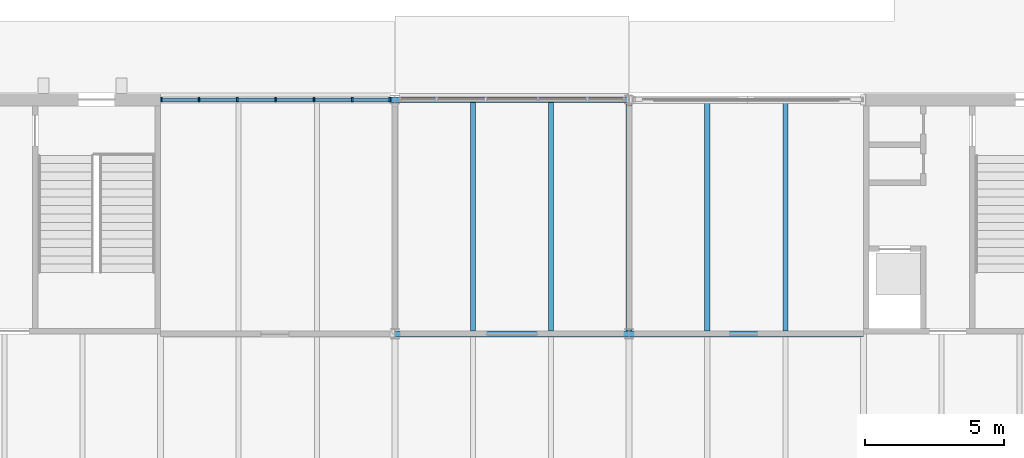
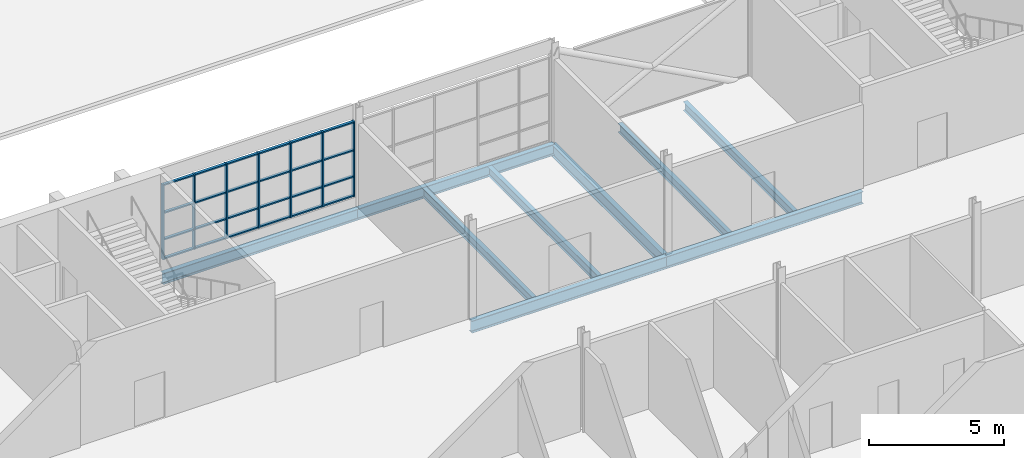
# One storey, part 58 of 116: 31 members, 9 beams, 1 element without a shape of its own.
"""IFC4 building model written with IfcOpenShell, lengths in metres."""

import ifcopenshell
import ifcopenshell.guid

model = None  # the IFC model being written
_history = None  # IfcOwnerHistory: only IFC2X3 demands one
_inside = {}  # id of a spatial element -> (the spatial element, [elements in it])
_under = {}  # id of a project, library or spatial element -> (it, [spatial elements below it])
_declared = {}  # id of a project -> (the project, [libraries it declares])
_typed = {}  # id of a type object -> (the type object, [elements of that type])
_made_of = {}  # id of a material, layer set ... -> (it, [elements and type objects made of it])


def new_model(schema):
    """Start an empty IFC model of exactly this schema.

    Asked for "IFC4X3", IfcOpenShell would pick the latest addendum, in which some entities
    have other attributes; the version numbers below select the first issue.
    IFC2X3 requires an IfcOwnerHistory on every rooted entity: one is made here for all.
    """
    global model, _history
    if schema == "IFC4X3":
        model = ifcopenshell.file(schema_version=(4, 3, 0, 0))
    else:
        model = ifcopenshell.file(schema=schema)
    _inside.clear()
    _under.clear()
    _declared.clear()
    _typed.clear()
    _made_of.clear()
    _history = None
    if model.schema == "IFC2X3":
        org = make("IfcOrganization", Name="unknown")
        user = make(
            "IfcPersonAndOrganization",
            ThePerson=make("IfcPerson", FamilyName="unknown"),
            TheOrganization=org,
        )
        app = make(
            "IfcApplication",
            ApplicationDeveloper=org,
            Version="unknown",
            ApplicationFullName="unknown",
            ApplicationIdentifier="unknown",
        )
        _history = make(
            "IfcOwnerHistory",
            OwningUser=user,
            OwningApplication=app,
            ChangeAction="ADDED",
            CreationDate=0,
        )
    return model


def make(cls, **values):
    """One entity of the class cls with the attributes given. An attribute that is None is left unset."""
    return model.create_entity(
        cls, **{name: value for name, value in values.items() if value is not None}
    )


def rooted(cls, **values):
    """An entity with a GlobalId (a new one), such as an element, a storey or a relation."""
    return make(cls, GlobalId=ifcopenshell.guid.new(), OwnerHistory=_history, **values)


def si_unit(unit_type, name, prefix=None):
    """IfcSIUnit, for example si_unit("LENGTHUNIT", "METRE", prefix="MILLI")."""
    return make("IfcSIUnit", UnitType=unit_type, Prefix=prefix, Name=name)


def assignment(units):
    """IfcUnitAssignment: the units of a project."""
    return None if units is None else make("IfcUnitAssignment", Units=units)


def point(xyz):
    """IfcCartesianPoint."""
    return None if xyz is None else make("IfcCartesianPoint", Coordinates=xyz)


def direction(xyz):
    """IfcDirection."""
    return None if xyz is None else make("IfcDirection", DirectionRatios=xyz)


def frame(location, z_axis=None, x_axis=None):
    """IfcAxis2Placement3D, a coordinate frame: its origin and axes. An axis left out is left unset."""
    return make(
        "IfcAxis2Placement3D",
        Location=point(location),
        Axis=direction(z_axis),
        RefDirection=direction(x_axis),
    )


def frame_2d(location, x_axis=None):
    """IfcAxis2Placement2D, a coordinate frame in the plane: its origin and x axis."""
    return make(
        "IfcAxis2Placement2D", Location=point(location), RefDirection=direction(x_axis)
    )


def origin():
    """The frame at (0, 0, 0) with its axes left unset."""
    return frame((0.0, 0.0, 0.0))


def origin_2d():
    """The frame at (0, 0) in the plane with its x axis left unset."""
    return frame_2d((0.0, 0.0))


def place(relative_to, where):
    """IfcLocalPlacement: puts the frame where relative to a parent placement (None: the world)."""
    return make(
        "IfcLocalPlacement", PlacementRelTo=relative_to, RelativePlacement=where
    )


def context(
    kind, dimensions, precision=None, world=None, true_north=None, identifier=None
):
    """IfcGeometricRepresentationContext, for example the 3D "Model" context."""
    return make(
        "IfcGeometricRepresentationContext",
        ContextIdentifier=identifier,
        ContextType=kind,
        CoordinateSpaceDimension=dimensions,
        Precision=precision,
        WorldCoordinateSystem=world,
        TrueNorth=true_north,
    )


def subcontext(parent, identifier, kind, view, scale=None):
    """IfcGeometricRepresentationSubContext, for example "Body" below "Model"."""
    return make(
        "IfcGeometricRepresentationSubContext",
        ContextIdentifier=identifier,
        ContextType=kind,
        ParentContext=parent,
        TargetScale=scale,
        TargetView=view,
    )


def project(units=None, contexts=None):
    """IfcProject with its units and contexts."""
    return rooted(
        "IfcProject",
        Name="project",
        RepresentationContexts=contexts,
        UnitsInContext=assignment(units),
    )


def spatial(cls, under=None, at=None, **own):
    """A site, building, storey or space (cls), placed at a placement, below another one or the project."""
    s = rooted(cls, ObjectPlacement=at, **own)
    if under is not None:
        _under.setdefault(under.id(), (under, []))[1].append(s)
    return s


def profile(cls, at=None, kind="AREA", **sizes):
    """A parametric profile (cls). Its sizes go by their IFC names, for example OverallWidth=200.0."""
    return make(cls, ProfileType=kind, Position=at, **sizes)


def rectangle(**sizes):
    """IfcRectangleProfileDef."""
    return profile("IfcRectangleProfileDef", **sizes)


def i_section(**sizes):
    """IfcIShapeProfileDef."""
    return profile("IfcIShapeProfileDef", **sizes)


def extrude(swept, where, along, depth):
    """IfcExtrudedAreaSolid: the profile swept, set in the frame where, extruded along a direction by depth."""
    return make(
        "IfcExtrudedAreaSolid",
        SweptArea=swept,
        Position=where,
        ExtrudedDirection=direction(along),
        Depth=depth,
    )


def shape(context_of_items, identifier, shape_type, items):
    """IfcShapeRepresentation: the items that make up one representation, for example the "Body"."""
    return make(
        "IfcShapeRepresentation",
        ContextOfItems=context_of_items,
        RepresentationIdentifier=identifier,
        RepresentationType=shape_type,
        Items=items,
    )


def material(Name=None, Category=None):
    """IfcMaterial."""
    return make("IfcMaterial", Name=Name, Category=Category)


def layer(
    of_material, thickness, ventilated=None, Name=None, Category=None, Priority=None
):
    """IfcMaterialLayer: one layer of a wall or slab, of a material (None: an air gap)."""
    return make(
        "IfcMaterialLayer",
        Material=of_material,
        LayerThickness=thickness,
        IsVentilated=ventilated,
        Name=Name,
        Category=Category,
        Priority=Priority,
    )


def layer_set(layers, Name=None):
    """IfcMaterialLayerSet."""
    return make("IfcMaterialLayerSet", MaterialLayers=layers, LayerSetName=Name)


def material_profile(
    of_material, cross_section, Name=None, Category=None, Priority=None
):
    """IfcMaterialProfile: a cross section and its material."""
    return make(
        "IfcMaterialProfile",
        Name=Name,
        Material=of_material,
        Profile=cross_section,
        Priority=Priority,
        Category=Category,
    )


def profile_set(profiles, Name=None, composite=None):
    """IfcMaterialProfileSet."""
    return make(
        "IfcMaterialProfileSet",
        Name=Name,
        MaterialProfiles=profiles,
        CompositeProfile=composite,
    )


def made_of(thing, what):
    """Note that an element or type object is made of a material, layer set ...; save() writes the relation."""
    if what is not None:
        _made_of.setdefault(what.id(), (what, []))[1].append(thing)
    return thing


def type_object(cls, material=None, **own):
    """A type object (cls), such as IfcWallType, which elements share."""
    return made_of(rooted(cls, **own), material)


def element(
    cls,
    number,
    at=None,
    inside=None,
    cuts=None,
    type_object=None,
    material=None,
    context=None,
    identifier="Body",
    shape_type=None,
    held_by="IfcProductDefinitionShape",
    body=None,
    shapes=None,
    **own,
):
    """One element of the class cls, such as IfcWall. Its Tag is "e" and its number.

    at: its placement. inside: the storey or other place that contains it. cuts: it is an
    opening in that element (IfcRelVoidsElement). A single representation is given by context,
    identifier, shape_type and body (its items); several are given by shapes. held_by: the class
    of the entity that holds the representations. save() writes the other relations.
    """
    e = rooted(cls, Tag="e%d" % number, ObjectPlacement=at, **own)
    if body is not None:
        shapes = [shape(context, identifier, shape_type, body)]
    if shapes is not None:
        e.Representation = make(held_by, Representations=shapes)
    if inside is not None:
        _inside.setdefault(inside.id(), (inside, []))[1].append(e)
    if cuts is not None:
        rooted(
            "IfcRelVoidsElement", RelatingBuildingElement=cuts, RelatedOpeningElement=e
        )
    if type_object is not None:
        _typed.setdefault(type_object.id(), (type_object, []))[1].append(e)
    return made_of(e, material)


def aggregate(whole, parts):
    """IfcRelAggregates: a whole, such as a stair, and the parts it consists of."""
    return rooted("IfcRelAggregates", RelatingObject=whole, RelatedObjects=parts)


def save(model, path):
    """Write the relations noted so far, then the file.

    IfcRelAggregates (storeys below a building ...), IfcRelContainedInSpatialStructure (elements
    in a storey), IfcRelDefinesByType, IfcRelAssociatesMaterial and IfcRelDeclares: one each for
    every whole, place, type object, material and project.
    """
    for whole, parts in _under.values():
        aggregate(whole, parts)
    for where, things in _inside.values():
        rooted(
            "IfcRelContainedInSpatialStructure",
            RelatedElements=things,
            RelatingStructure=where,
        )
    for kind, things in _typed.values():
        rooted("IfcRelDefinesByType", RelatedObjects=things, RelatingType=kind)
    for what, things in _made_of.values():
        rooted("IfcRelAssociatesMaterial", RelatedObjects=things, RelatingMaterial=what)
    for by, libraries in _declared.values():
        rooted("IfcRelDeclares", RelatingContext=by, RelatedDefinitions=libraries)
    model.write(path)


model = new_model("IFC4")

# Units and contexts
model_context = context("Model", 3, precision=1e-05, world=origin(), true_north=direction((0.0, 1.0)))
body_context = subcontext(model_context, "Body", "Model", "MODEL_VIEW")
ifc_project = project(units=[si_unit("LENGTHUNIT", "METRE"), si_unit("AREAUNIT", "SQUARE_METRE"), si_unit("VOLUMEUNIT", "CUBIC_METRE"), si_unit("PLANEANGLEUNIT", "RADIAN"), si_unit("MASSUNIT", "GRAM", prefix="KILO")], contexts=[model_context])

# Site, building, storey
site_placement = place(None, origin())
site = spatial("IfcSite", under=ifc_project, at=site_placement, CompositionType="ELEMENT")
building_placement = place(site_placement, origin())
building = spatial("IfcBuilding", under=site, at=building_placement, Name="Ardhachandra Cancer Care Centre", CompositionType="ELEMENT")
storey_placement = place(building_placement, origin())
storey = spatial("IfcBuildingStorey", under=building, at=storey_placement, Name="L00", CompositionType="ELEMENT", Elevation=0.0)

# Beams
ifc_material_1 = material(Name="Steel E350 (IS 2062)", Category="steel")
ifc_material_profile_1 = material_profile(ifc_material_1, i_section(OverallWidth=0.179931640625, OverallDepth=0.39990234375, WebThickness=0.008544921875, FlangeThickness=0.013427734375, FilletRadius=0.02099609375, at=origin_2d()), Name="NPB 400x180x66.30")
ifc_profile_set_1 = profile_set([ifc_material_profile_1], Name="Steel E350 (IS 2062)")
beam_type_1 = type_object("IfcBeamType", Name="Beam NPB 400x180x66.30", PredefinedType="BEAM", material=ifc_profile_set_1)
for number, where, z_axis, x_axis, name in (
    (1, (89.199951171875, 88.304931640625, -0.35009765625), (0.0, 1.0, 0.0), (-1.0, 0.0, 0.0), "Secondary K10-L10@2800"),
    (2, (92.0, 88.304931640625, -0.35009765625), (0.0, 1.0, 0.0), (-1.0, 0.0, 0.0), "Secondary K10-L10@5600"),
    (3, (97.60009765625, 88.304931640625, -0.35009765625), (0.0, 1.0, 0.0), (-1.0, 0.0, 0.0), "Secondary K11-L11@2800"),
    (4, (100.39990234375, 88.304931640625, -0.35009765625), (0.0, 1.0, 0.0), (-1.0, 0.0, 0.0), "Secondary K11-L11@5600"),
):
    element("IfcBeam", number, at=place(storey_placement, frame(where, z_axis=z_axis, x_axis=x_axis)), inside=storey, type_object=beam_type_1, Name=name, PredefinedType="BEAM", context=body_context, shape_type="SweptSolid", body=[
        extrude(i_section(OverallWidth=0.179931640625, OverallDepth=0.39990234375, WebThickness=0.008544921875, FlangeThickness=0.013427734375, FilletRadius=0.02099609375, at=origin_2d()), origin(), (0.0, 0.0, 1.0), 8.195068359375),
    ])
ifc_material_2 = material(Name="Steel E350 (IS 2062)", Category="steel")
ifc_material_profile_2 = material_profile(ifc_material_2, i_section(OverallWidth=0.199951171875, OverallDepth=0.5, WebThickness=0.01025390625, FlangeThickness=0.01611328125, FilletRadius=0.02099609375, at=origin_2d()), Name="NPB 500x200x90.68")
ifc_profile_set_2 = profile_set([ifc_material_profile_2], Name="Steel E350 (IS 2062)")
beam_type_2 = type_object("IfcBeamType", Name="Beam NPB 500x200x90.68", PredefinedType="BEAM", material=ifc_profile_set_2)
beam_1_placement = place(storey_placement, frame((78.0, 96.60009765625, -0.39990234375), z_axis=(1.0, 0.0, 0.0), x_axis=(0.0, 1.0, 0.0)))
element("IfcBeam", 5, at=beam_1_placement, inside=storey, type_object=beam_type_2, Name="Edge girder L9-L10", PredefinedType="BEAM", context=body_context, shape_type="SweptSolid", body=[
    extrude(i_section(OverallWidth=0.199951171875, OverallDepth=0.5, WebThickness=0.01025390625, FlangeThickness=0.01611328125, FilletRadius=0.02099609375, at=origin_2d()), origin(), (0.0, 0.0, 1.0), 8.39990234375),
])
beam_2_placement = place(storey_placement, frame((86.39990234375, 96.60009765625, -0.39990234375), z_axis=(1.0, 0.0, 0.0), x_axis=(0.0, 1.0, 0.0)))
element("IfcBeam", 6, at=beam_2_placement, inside=storey, type_object=beam_type_2, Name="Edge girder L10-L11", PredefinedType="BEAM", context=body_context, shape_type="SweptSolid", body=[
    extrude(i_section(OverallWidth=0.199951171875, OverallDepth=0.5, WebThickness=0.01025390625, FlangeThickness=0.01611328125, FilletRadius=0.02099609375, at=origin_2d()), origin(), (0.0, 0.0, 1.0), 8.400146484375),
])
ifc_material_3 = material(Name="Steel E350 (IS 2062)", Category="steel")
ifc_material_profile_3 = material_profile(ifc_material_3, i_section(OverallWidth=0.2099609375, OverallDepth=0.550048828125, WebThickness=0.010986328125, FlangeThickness=0.01708984375, FilletRadius=0.02392578125, at=origin_2d()), Name="NPB 550x210x105.52")
ifc_profile_set_3 = profile_set([ifc_material_profile_3], Name="Steel E350 (IS 2062)")
beam_type_3 = type_object("IfcBeamType", Name="Beam NPB 550x210x105.52", PredefinedType="BEAM", material=ifc_profile_set_3)
beam_3_placement = place(storey_placement, frame((86.39990234375, 88.199951171875, -0.425048828125), z_axis=(1.0, 0.0, 0.0), x_axis=(0.0, 1.0, 0.0)))
element("IfcBeam", 7, at=beam_3_placement, inside=storey, type_object=beam_type_3, Name="Girder K10-K11", PredefinedType="BEAM", context=body_context, shape_type="SweptSolid", body=[
    extrude(i_section(OverallWidth=0.2099609375, OverallDepth=0.550048828125, WebThickness=0.010986328125, FlangeThickness=0.01708984375, FilletRadius=0.02392578125, at=origin_2d()), origin(), (0.0, 0.0, 1.0), 8.400146484375),
])
beam_4_placement = place(storey_placement, frame((94.800048828125, 88.199951171875, -0.425048828125), z_axis=(1.0, 0.0, 0.0), x_axis=(0.0, 1.0, 0.0)))
element("IfcBeam", 8, at=beam_4_placement, inside=storey, type_object=beam_type_3, Name="Girder K11-K12", PredefinedType="BEAM", context=body_context, shape_type="SweptSolid", body=[
    extrude(i_section(OverallWidth=0.2099609375, OverallDepth=0.550048828125, WebThickness=0.010986328125, FlangeThickness=0.01708984375, FilletRadius=0.02392578125, at=origin_2d()), origin(), (0.0, 0.0, 1.0), 8.39990234375),
])
beam_5_placement = place(storey_placement, frame((94.800048828125, 88.199951171875, -0.425048828125), z_axis=(0.0, 1.0, 0.0), x_axis=(-1.0, 0.0, 0.0)))
element("IfcBeam", 9, at=beam_5_placement, inside=storey, type_object=beam_type_3, Name="Girder K11-L11", PredefinedType="BEAM", context=body_context, shape_type="SweptSolid", body=[
    extrude(i_section(OverallWidth=0.2099609375, OverallDepth=0.550048828125, WebThickness=0.010986328125, FlangeThickness=0.01708984375, FilletRadius=0.02392578125, at=origin_2d()), origin(), (0.0, 0.0, 1.0), 8.400146484375),
])

# Curtain wall, members
ifc_material_4 = material(Name="Aluminium extrusion", Category="aluminium")
ifc_layer = layer(ifc_material_4, 0.14990234375)
ifc_layer_set = layer_set([ifc_layer], Name="Aluminium extrusion")
curtain_wall_type = type_object("IfcCurtainWallType", Name="Curtain wall run", PredefinedType="NOTDEFINED", material=ifc_layer_set)
curtain_wall_placement = place(storey_placement, origin())
curtain_wall = element("IfcCurtainWall", 10, at=curtain_wall_placement, inside=storey, type_object=curtain_wall_type, Name="Curtain wall L00 n/0078000_0096600", PredefinedType="NOTDEFINED")
ifc_material_5 = material(Name="Aluminium extrusion", Category="aluminium")
ifc_material_profile_4 = material_profile(ifc_material_5, rectangle(XDim=0.159912109375, YDim=0.06005859375, at=origin_2d()), Name="Curtain wall mullion 60 x 160")
ifc_profile_set_4 = profile_set([ifc_material_profile_4], Name="Aluminium extrusion")
member_type_1 = type_object("IfcMemberType", Name="Curtain wall mullion 60 x 160", PredefinedType="MULLION", material=ifc_profile_set_4)
member_1_placement = place(storey_placement, frame((78.030029296875, 96.60009765625, 0.449951171875), z_axis=(0.0, 0.0, 1.0), x_axis=(0.0, 1.0, 0.0)))
member_1 = element("IfcMember", 11, at=member_1_placement, type_object=member_type_1, Name="CW mullion 1", PredefinedType="MULLION", context=body_context, shape_type="SweptSolid", body=[
    extrude(rectangle(XDim=0.159912109375, YDim=0.06005859375, at=origin_2d()), origin(), (0.0, 0.0, 1.0), 3.400146484375),
])
member_2_placement = place(storey_placement, frame((79.375, 96.60009765625, 0.449951171875), z_axis=(0.0, 0.0, 1.0), x_axis=(0.0, 1.0, 0.0)))
member_2 = element("IfcMember", 12, at=member_2_placement, type_object=member_type_1, Name="CW mullion 2", PredefinedType="MULLION", context=body_context, shape_type="SweptSolid", body=[
    extrude(rectangle(XDim=0.159912109375, YDim=0.06005859375, at=origin_2d()), origin(), (0.0, 0.0, 1.0), 3.400146484375),
])
member_3_placement = place(storey_placement, frame((80.75, 96.60009765625, 0.449951171875), z_axis=(0.0, 0.0, 1.0), x_axis=(0.0, 1.0, 0.0)))
member_3 = element("IfcMember", 13, at=member_3_placement, type_object=member_type_1, Name="CW mullion 3", PredefinedType="MULLION", context=body_context, shape_type="SweptSolid", body=[
    extrude(rectangle(XDim=0.159912109375, YDim=0.06005859375, at=origin_2d()), origin(), (0.0, 0.0, 1.0), 3.400146484375),
])
member_4_placement = place(storey_placement, frame((82.125, 96.60009765625, 0.449951171875), z_axis=(0.0, 0.0, 1.0), x_axis=(0.0, 1.0, 0.0)))
member_4 = element("IfcMember", 14, at=member_4_placement, type_object=member_type_1, Name="CW mullion 4", PredefinedType="MULLION", context=body_context, shape_type="SweptSolid", body=[
    extrude(rectangle(XDim=0.159912109375, YDim=0.06005859375, at=origin_2d()), origin(), (0.0, 0.0, 1.0), 3.400146484375),
])
member_5_placement = place(storey_placement, frame((83.5, 96.60009765625, 0.449951171875), z_axis=(0.0, 0.0, 1.0), x_axis=(0.0, 1.0, 0.0)))
member_5 = element("IfcMember", 15, at=member_5_placement, type_object=member_type_1, Name="CW mullion 5", PredefinedType="MULLION", context=body_context, shape_type="SweptSolid", body=[
    extrude(rectangle(XDim=0.159912109375, YDim=0.06005859375, at=origin_2d()), origin(), (0.0, 0.0, 1.0), 3.400146484375),
])
member_6_placement = place(storey_placement, frame((84.875, 96.60009765625, 0.449951171875), z_axis=(0.0, 0.0, 1.0), x_axis=(0.0, 1.0, 0.0)))
member_6 = element("IfcMember", 16, at=member_6_placement, type_object=member_type_1, Name="CW mullion 6", PredefinedType="MULLION", context=body_context, shape_type="SweptSolid", body=[
    extrude(rectangle(XDim=0.159912109375, YDim=0.06005859375, at=origin_2d()), origin(), (0.0, 0.0, 1.0), 3.400146484375),
])
member_7_placement = place(storey_placement, frame((86.219970703125, 96.60009765625, 0.449951171875), z_axis=(0.0, 0.0, 1.0), x_axis=(0.0, 1.0, 0.0)))
member_7 = element("IfcMember", 17, at=member_7_placement, type_object=member_type_1, Name="CW mullion 7", PredefinedType="MULLION", context=body_context, shape_type="SweptSolid", body=[
    extrude(rectangle(XDim=0.159912109375, YDim=0.06005859375, at=origin_2d()), origin(), (0.0, 0.0, 1.0), 3.400146484375),
])
ifc_material_6 = material(Name="Aluminium extrusion", Category="aluminium")
ifc_material_profile_5 = material_profile(ifc_material_6, rectangle(XDim=0.1201171875, YDim=0.06005859375, at=origin_2d()), Name="Curtain wall transom 60 x 120")
ifc_profile_set_5 = profile_set([ifc_material_profile_5], Name="Aluminium extrusion")
member_type_2 = type_object("IfcMemberType", Name="Curtain wall transom 60 x 120", PredefinedType="USERDEFINED", material=ifc_profile_set_5)
member_8_placement = place(storey_placement, frame((78.06005859375, 96.60009765625, 0.47998046875), z_axis=(1.0, 0.0, 0.0), x_axis=(0.0, 1.0, 0.0)))
member_8 = element("IfcMember", 18, at=member_8_placement, type_object=member_type_2, Name="CW transom 1.1", ObjectType="TRANSOM", PredefinedType="USERDEFINED", context=body_context, shape_type="SweptSolid", body=[
    extrude(rectangle(XDim=0.1201171875, YDim=0.06005859375, at=origin_2d()), origin(), (0.0, 0.0, 1.0), 1.284912109375),
])
member_9_placement = place(storey_placement, frame((78.06005859375, 96.60009765625, 1.35009765625), z_axis=(1.0, 0.0, 0.0), x_axis=(0.0, 1.0, 0.0)))
member_9 = element("IfcMember", 19, at=member_9_placement, type_object=member_type_2, Name="CW transom 1.2", ObjectType="TRANSOM", PredefinedType="USERDEFINED", context=body_context, shape_type="SweptSolid", body=[
    extrude(rectangle(XDim=0.1201171875, YDim=0.06005859375, at=origin_2d()), origin(), (0.0, 0.0, 1.0), 1.284912109375),
])
member_10_placement = place(storey_placement, frame((78.06005859375, 96.60009765625, 2.550048828125), z_axis=(1.0, 0.0, 0.0), x_axis=(0.0, 1.0, 0.0)))
member_10 = element("IfcMember", 20, at=member_10_placement, type_object=member_type_2, Name="CW transom 1.3", ObjectType="TRANSOM", PredefinedType="USERDEFINED", context=body_context, shape_type="SweptSolid", body=[
    extrude(rectangle(XDim=0.1201171875, YDim=0.06005859375, at=origin_2d()), origin(), (0.0, 0.0, 1.0), 1.284912109375),
])
member_11_placement = place(storey_placement, frame((78.06005859375, 96.60009765625, 3.820068359375), z_axis=(1.0, 0.0, 0.0), x_axis=(0.0, 1.0, 0.0)))
member_11 = element("IfcMember", 21, at=member_11_placement, type_object=member_type_2, Name="CW transom 1.4", ObjectType="TRANSOM", PredefinedType="USERDEFINED", context=body_context, shape_type="SweptSolid", body=[
    extrude(rectangle(XDim=0.1201171875, YDim=0.06005859375, at=origin_2d()), origin(), (0.0, 0.0, 1.0), 1.284912109375),
])
member_12_placement = place(storey_placement, frame((79.405029296875, 96.60009765625, 0.47998046875), z_axis=(1.0, 0.0, 0.0), x_axis=(0.0, 1.0, 0.0)))
member_12 = element("IfcMember", 22, at=member_12_placement, type_object=member_type_2, Name="CW transom 2.1", ObjectType="TRANSOM", PredefinedType="USERDEFINED", context=body_context, shape_type="SweptSolid", body=[
    extrude(rectangle(XDim=0.1201171875, YDim=0.06005859375, at=origin_2d()), origin(), (0.0, 0.0, 1.0), 1.31494140625),
])
member_13_placement = place(storey_placement, frame((79.405029296875, 96.60009765625, 1.35009765625), z_axis=(1.0, 0.0, 0.0), x_axis=(0.0, 1.0, 0.0)))
member_13 = element("IfcMember", 23, at=member_13_placement, type_object=member_type_2, Name="CW transom 2.2", ObjectType="TRANSOM", PredefinedType="USERDEFINED", context=body_context, shape_type="SweptSolid", body=[
    extrude(rectangle(XDim=0.1201171875, YDim=0.06005859375, at=origin_2d()), origin(), (0.0, 0.0, 1.0), 1.31494140625),
])
member_14_placement = place(storey_placement, frame((79.405029296875, 96.60009765625, 2.550048828125), z_axis=(1.0, 0.0, 0.0), x_axis=(0.0, 1.0, 0.0)))
member_14 = element("IfcMember", 24, at=member_14_placement, type_object=member_type_2, Name="CW transom 2.3", ObjectType="TRANSOM", PredefinedType="USERDEFINED", context=body_context, shape_type="SweptSolid", body=[
    extrude(rectangle(XDim=0.1201171875, YDim=0.06005859375, at=origin_2d()), origin(), (0.0, 0.0, 1.0), 1.31494140625),
])
member_15_placement = place(storey_placement, frame((79.405029296875, 96.60009765625, 3.820068359375), z_axis=(1.0, 0.0, 0.0), x_axis=(0.0, 1.0, 0.0)))
member_15 = element("IfcMember", 25, at=member_15_placement, type_object=member_type_2, Name="CW transom 2.4", ObjectType="TRANSOM", PredefinedType="USERDEFINED", context=body_context, shape_type="SweptSolid", body=[
    extrude(rectangle(XDim=0.1201171875, YDim=0.06005859375, at=origin_2d()), origin(), (0.0, 0.0, 1.0), 1.31494140625),
])
member_16_placement = place(storey_placement, frame((80.780029296875, 96.60009765625, 0.47998046875), z_axis=(1.0, 0.0, 0.0), x_axis=(0.0, 1.0, 0.0)))
member_16 = element("IfcMember", 26, at=member_16_placement, type_object=member_type_2, Name="CW transom 3.1", ObjectType="TRANSOM", PredefinedType="USERDEFINED", context=body_context, shape_type="SweptSolid", body=[
    extrude(rectangle(XDim=0.1201171875, YDim=0.06005859375, at=origin_2d()), origin(), (0.0, 0.0, 1.0), 1.31494140625),
])
member_17_placement = place(storey_placement, frame((80.780029296875, 96.60009765625, 1.35009765625), z_axis=(1.0, 0.0, 0.0), x_axis=(0.0, 1.0, 0.0)))
member_17 = element("IfcMember", 27, at=member_17_placement, type_object=member_type_2, Name="CW transom 3.2", ObjectType="TRANSOM", PredefinedType="USERDEFINED", context=body_context, shape_type="SweptSolid", body=[
    extrude(rectangle(XDim=0.1201171875, YDim=0.06005859375, at=origin_2d()), origin(), (0.0, 0.0, 1.0), 1.31494140625),
])
member_18_placement = place(storey_placement, frame((80.780029296875, 96.60009765625, 2.550048828125), z_axis=(1.0, 0.0, 0.0), x_axis=(0.0, 1.0, 0.0)))
member_18 = element("IfcMember", 28, at=member_18_placement, type_object=member_type_2, Name="CW transom 3.3", ObjectType="TRANSOM", PredefinedType="USERDEFINED", context=body_context, shape_type="SweptSolid", body=[
    extrude(rectangle(XDim=0.1201171875, YDim=0.06005859375, at=origin_2d()), origin(), (0.0, 0.0, 1.0), 1.31494140625),
])
member_19_placement = place(storey_placement, frame((80.780029296875, 96.60009765625, 3.820068359375), z_axis=(1.0, 0.0, 0.0), x_axis=(0.0, 1.0, 0.0)))
member_19 = element("IfcMember", 29, at=member_19_placement, type_object=member_type_2, Name="CW transom 3.4", ObjectType="TRANSOM", PredefinedType="USERDEFINED", context=body_context, shape_type="SweptSolid", body=[
    extrude(rectangle(XDim=0.1201171875, YDim=0.06005859375, at=origin_2d()), origin(), (0.0, 0.0, 1.0), 1.31494140625),
])
member_20_placement = place(storey_placement, frame((82.155029296875, 96.60009765625, 0.47998046875), z_axis=(1.0, 0.0, 0.0), x_axis=(0.0, 1.0, 0.0)))
member_20 = element("IfcMember", 30, at=member_20_placement, type_object=member_type_2, Name="CW transom 4.1", ObjectType="TRANSOM", PredefinedType="USERDEFINED", context=body_context, shape_type="SweptSolid", body=[
    extrude(rectangle(XDim=0.1201171875, YDim=0.06005859375, at=origin_2d()), origin(), (0.0, 0.0, 1.0), 1.31494140625),
])
member_21_placement = place(storey_placement, frame((82.155029296875, 96.60009765625, 1.35009765625), z_axis=(1.0, 0.0, 0.0), x_axis=(0.0, 1.0, 0.0)))
member_21 = element("IfcMember", 31, at=member_21_placement, type_object=member_type_2, Name="CW transom 4.2", ObjectType="TRANSOM", PredefinedType="USERDEFINED", context=body_context, shape_type="SweptSolid", body=[
    extrude(rectangle(XDim=0.1201171875, YDim=0.06005859375, at=origin_2d()), origin(), (0.0, 0.0, 1.0), 1.31494140625),
])
member_22_placement = place(storey_placement, frame((82.155029296875, 96.60009765625, 2.550048828125), z_axis=(1.0, 0.0, 0.0), x_axis=(0.0, 1.0, 0.0)))
member_22 = element("IfcMember", 32, at=member_22_placement, type_object=member_type_2, Name="CW transom 4.3", ObjectType="TRANSOM", PredefinedType="USERDEFINED", context=body_context, shape_type="SweptSolid", body=[
    extrude(rectangle(XDim=0.1201171875, YDim=0.06005859375, at=origin_2d()), origin(), (0.0, 0.0, 1.0), 1.31494140625),
])
member_23_placement = place(storey_placement, frame((82.155029296875, 96.60009765625, 3.820068359375), z_axis=(1.0, 0.0, 0.0), x_axis=(0.0, 1.0, 0.0)))
member_23 = element("IfcMember", 33, at=member_23_placement, type_object=member_type_2, Name="CW transom 4.4", ObjectType="TRANSOM", PredefinedType="USERDEFINED", context=body_context, shape_type="SweptSolid", body=[
    extrude(rectangle(XDim=0.1201171875, YDim=0.06005859375, at=origin_2d()), origin(), (0.0, 0.0, 1.0), 1.31494140625),
])
member_24_placement = place(storey_placement, frame((83.530029296875, 96.60009765625, 0.47998046875), z_axis=(1.0, 0.0, 0.0), x_axis=(0.0, 1.0, 0.0)))
member_24 = element("IfcMember", 34, at=member_24_placement, type_object=member_type_2, Name="CW transom 5.1", ObjectType="TRANSOM", PredefinedType="USERDEFINED", context=body_context, shape_type="SweptSolid", body=[
    extrude(rectangle(XDim=0.1201171875, YDim=0.06005859375, at=origin_2d()), origin(), (0.0, 0.0, 1.0), 1.31494140625),
])
member_25_placement = place(storey_placement, frame((83.530029296875, 96.60009765625, 1.35009765625), z_axis=(1.0, 0.0, 0.0), x_axis=(0.0, 1.0, 0.0)))
member_25 = element("IfcMember", 35, at=member_25_placement, type_object=member_type_2, Name="CW transom 5.2", ObjectType="TRANSOM", PredefinedType="USERDEFINED", context=body_context, shape_type="SweptSolid", body=[
    extrude(rectangle(XDim=0.1201171875, YDim=0.06005859375, at=origin_2d()), origin(), (0.0, 0.0, 1.0), 1.31494140625),
])
member_26_placement = place(storey_placement, frame((83.530029296875, 96.60009765625, 2.550048828125), z_axis=(1.0, 0.0, 0.0), x_axis=(0.0, 1.0, 0.0)))
member_26 = element("IfcMember", 36, at=member_26_placement, type_object=member_type_2, Name="CW transom 5.3", ObjectType="TRANSOM", PredefinedType="USERDEFINED", context=body_context, shape_type="SweptSolid", body=[
    extrude(rectangle(XDim=0.1201171875, YDim=0.06005859375, at=origin_2d()), origin(), (0.0, 0.0, 1.0), 1.31494140625),
])
member_27_placement = place(storey_placement, frame((83.530029296875, 96.60009765625, 3.820068359375), z_axis=(1.0, 0.0, 0.0), x_axis=(0.0, 1.0, 0.0)))
member_27 = element("IfcMember", 37, at=member_27_placement, type_object=member_type_2, Name="CW transom 5.4", ObjectType="TRANSOM", PredefinedType="USERDEFINED", context=body_context, shape_type="SweptSolid", body=[
    extrude(rectangle(XDim=0.1201171875, YDim=0.06005859375, at=origin_2d()), origin(), (0.0, 0.0, 1.0), 1.31494140625),
])
member_28_placement = place(storey_placement, frame((84.905029296875, 96.60009765625, 0.47998046875), z_axis=(1.0, 0.0, 0.0), x_axis=(0.0, 1.0, 0.0)))
member_28 = element("IfcMember", 38, at=member_28_placement, type_object=member_type_2, Name="CW transom 6.1", ObjectType="TRANSOM", PredefinedType="USERDEFINED", context=body_context, shape_type="SweptSolid", body=[
    extrude(rectangle(XDim=0.1201171875, YDim=0.06005859375, at=origin_2d()), origin(), (0.0, 0.0, 1.0), 1.284912109375),
])
member_29_placement = place(storey_placement, frame((84.905029296875, 96.60009765625, 1.35009765625), z_axis=(1.0, 0.0, 0.0), x_axis=(0.0, 1.0, 0.0)))
member_29 = element("IfcMember", 39, at=member_29_placement, type_object=member_type_2, Name="CW transom 6.2", ObjectType="TRANSOM", PredefinedType="USERDEFINED", context=body_context, shape_type="SweptSolid", body=[
    extrude(rectangle(XDim=0.1201171875, YDim=0.06005859375, at=origin_2d()), origin(), (0.0, 0.0, 1.0), 1.284912109375),
])
member_30_placement = place(storey_placement, frame((84.905029296875, 96.60009765625, 2.550048828125), z_axis=(1.0, 0.0, 0.0), x_axis=(0.0, 1.0, 0.0)))
member_30 = element("IfcMember", 40, at=member_30_placement, type_object=member_type_2, Name="CW transom 6.3", ObjectType="TRANSOM", PredefinedType="USERDEFINED", context=body_context, shape_type="SweptSolid", body=[
    extrude(rectangle(XDim=0.1201171875, YDim=0.06005859375, at=origin_2d()), origin(), (0.0, 0.0, 1.0), 1.284912109375),
])
member_31_placement = place(storey_placement, frame((84.905029296875, 96.60009765625, 3.820068359375), z_axis=(1.0, 0.0, 0.0), x_axis=(0.0, 1.0, 0.0)))
member_31 = element("IfcMember", 41, at=member_31_placement, type_object=member_type_2, Name="CW transom 6.4", ObjectType="TRANSOM", PredefinedType="USERDEFINED", context=body_context, shape_type="SweptSolid", body=[
    extrude(rectangle(XDim=0.1201171875, YDim=0.06005859375, at=origin_2d()), origin(), (0.0, 0.0, 1.0), 1.284912109375),
])
aggregate(curtain_wall, [member_1, member_2, member_3, member_4, member_5, member_6, member_7, member_8, member_9, member_10, member_11, member_12, member_13, member_14, member_15, member_16, member_17, member_18, member_19, member_20, member_21, member_22, member_23, member_24, member_25, member_26, member_27, member_28, member_29, member_30, member_31])

save(model, "model.ifc")
